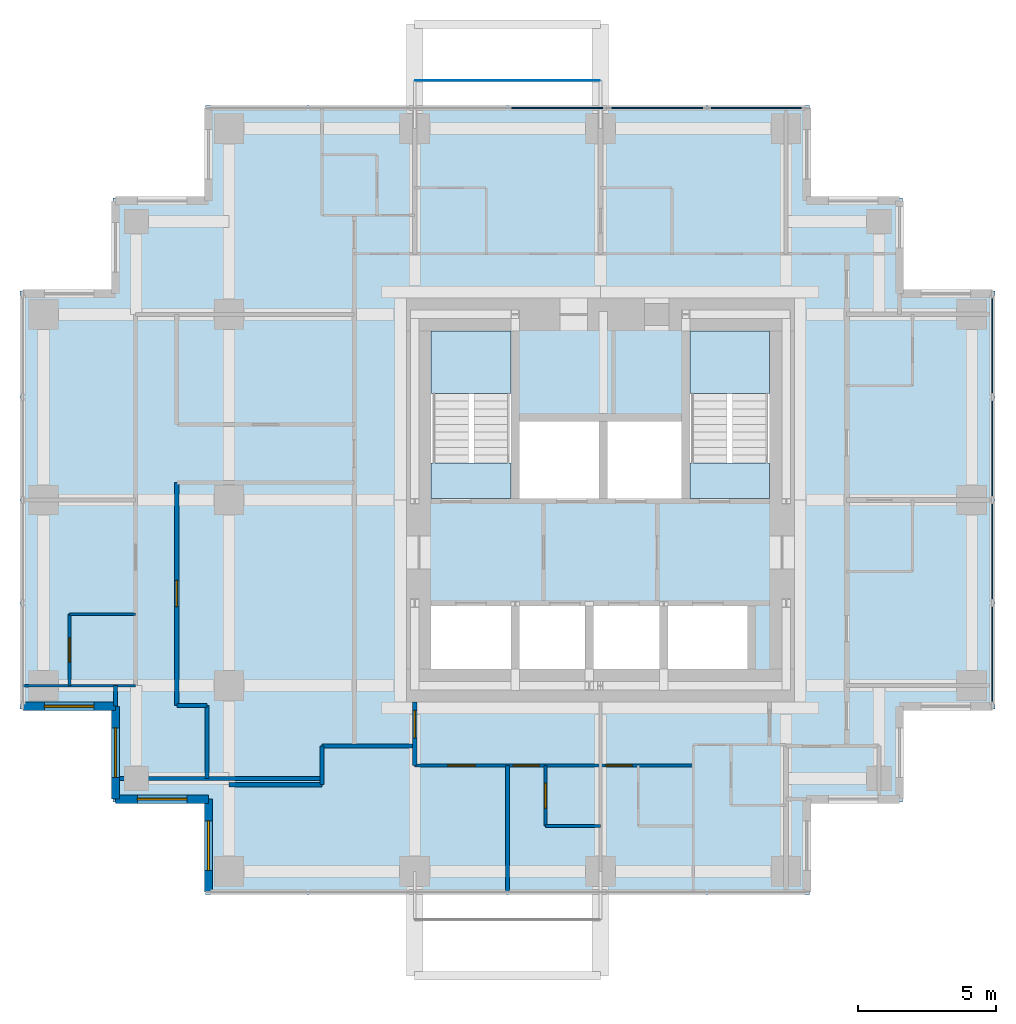
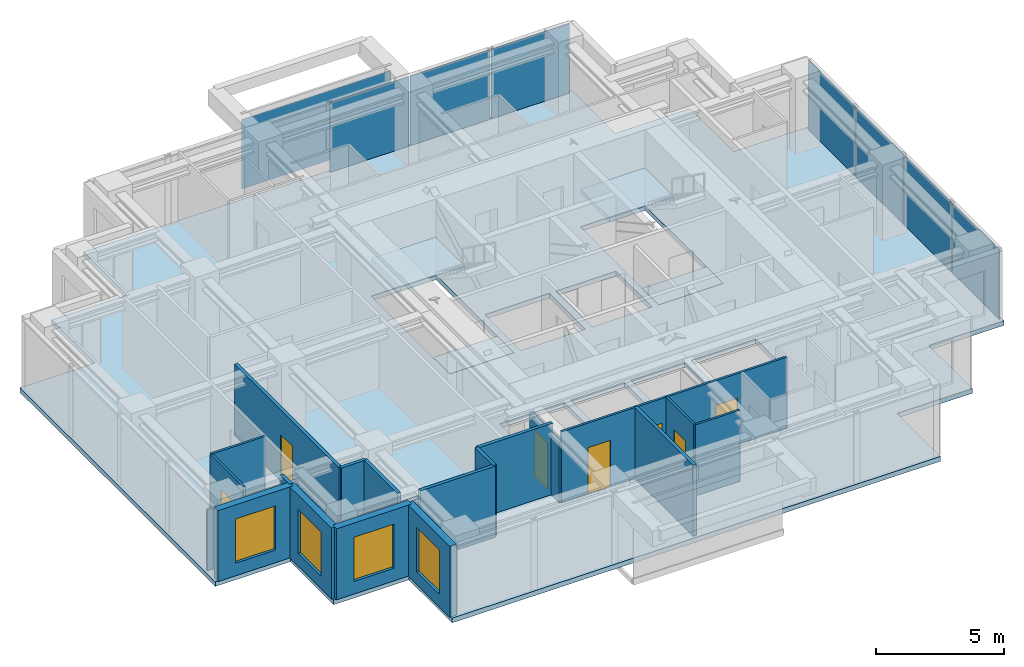
# One storey, part 3 of 7: 20 walls, 8 plates, 7 doors, 5 slabs, 4 windows, 11 openings, 4 elements without a shape of their own.
"""IFC4 building model written with IfcOpenShell, lengths in metres."""

from ifc_helpers import new_model, si_unit, direction, frame, frame_2d, origin, origin_2d, place, context, subcontext, project, spatial, polyline, rectangle, outline, extrude, material, layer, layer_set, type_object, element, fill, aggregate, save


model = new_model("IFC4")

# Units and contexts
model_context = context("Model", 3, precision=1e-05, world=origin(), true_north=direction((0.0, 1.0)))
body_context = subcontext(model_context, "Body", "Model", "MODEL_VIEW")
ifc_project = project(units=[si_unit("LENGTHUNIT", "METRE"), si_unit("AREAUNIT", "SQUARE_METRE"), si_unit("VOLUMEUNIT", "CUBIC_METRE"), si_unit("PLANEANGLEUNIT", "RADIAN"), si_unit("MASSUNIT", "GRAM", prefix="KILO")], contexts=[model_context])

# Site, building, storey
site_placement = place(None, origin())
site = spatial("IfcSite", under=ifc_project, at=site_placement, CompositionType="ELEMENT")
building_placement = place(site_placement, origin())
building = spatial("IfcBuilding", under=site, at=building_placement, Name="Nyansa Garden Tower", CompositionType="ELEMENT")
storey_placement = place(building_placement, frame((0.0, 0.0, 215.10009765625)))
storey = spatial("IfcBuildingStorey", under=building, at=storey_placement, Name="L58", CompositionType="ELEMENT", Elevation=215.10009765625)

# Curtain wall, plates
ifc_material_1 = material(Name="Black anodised aluminium, dark tinted double glazing", Category="aluminium")
curtain_wall_type = type_object("IfcCurtainWallType", Name="Inner skin curtain wall ISW-D", PredefinedType="USERDEFINED", material=ifc_material_1)
curtain_wall_1_placement = place(storey_placement, origin())
curtain_wall_1 = element("IfcCurtainWall", 1, at=curtain_wall_1_placement, inside=storey, type_object=curtain_wall_type, Name="Inner skin curtain wall L58 E", ObjectType="UNITISED CURTAIN WALL", PredefinedType="USERDEFINED")
ifc_material_2 = material(Name="Dark tinted laminated double glazing", Category="glass")
ifc_layer_1 = layer(ifc_material_2, 0.0439453125)
ifc_layer_set_1 = layer_set([ifc_layer_1], Name="Dark tinted vision panel VP-D")
plate_type_1 = type_object("IfcPlateType", Name="Dark tinted vision panel VP-D", PredefinedType="CURTAIN_PANEL", material=ifc_layer_set_1)
plate_1_placement = place(storey_placement, frame((34.5, 14.642578125, 0.0), z_axis=(0.0, 0.0, 1.0), x_axis=(0.0, 1.0, 0.0)))
plate_1 = element("IfcPlate", 2, at=plate_1_placement, type_object=plate_type_1, Name="ISW-D panel 1", PredefinedType="CURTAIN_PANEL", context=body_context, shape_type="SweptSolid", body=[
    extrude(rectangle(XDim=3.64501953125, YDim=0.0439453125, at=origin_2d()), origin(), (0.0, 0.0, 1.0), 3.304931640625),
])
plate_2_placement = place(storey_placement, frame((34.5, 18.375, 0.0), z_axis=(0.0, 0.0, 1.0), x_axis=(0.0, 1.0, 0.0)))
plate_2 = element("IfcPlate", 3, at=plate_2_placement, type_object=plate_type_1, Name="ISW-D panel 2", PredefinedType="CURTAIN_PANEL", context=body_context, shape_type="SweptSolid", body=[
    extrude(rectangle(XDim=3.679931640625, YDim=0.0439453125, at=origin_2d()), origin(), (0.0, 0.0, 1.0), 3.304931640625),
])
plate_3_placement = place(storey_placement, frame((34.5, 22.125, 0.0), z_axis=(0.0, 0.0, 1.0), x_axis=(0.0, 1.0, 0.0)))
plate_3 = element("IfcPlate", 4, at=plate_3_placement, type_object=plate_type_1, Name="ISW-D panel 3", PredefinedType="CURTAIN_PANEL", context=body_context, shape_type="SweptSolid", body=[
    extrude(rectangle(XDim=3.679931640625, YDim=0.0439453125, at=origin_2d()), origin(), (0.0, 0.0, 1.0), 3.304931640625),
])
plate_4_placement = place(storey_placement, frame((34.5, 25.857421875, 0.0), z_axis=(0.0, 0.0, 1.0), x_axis=(0.0, 1.0, 0.0)))
plate_4 = element("IfcPlate", 5, at=plate_4_placement, type_object=plate_type_1, Name="ISW-D panel 4", PredefinedType="CURTAIN_PANEL", context=body_context, shape_type="SweptSolid", body=[
    extrude(rectangle(XDim=3.64501953125, YDim=0.0439453125, at=origin_2d()), origin(), (0.0, 0.0, 1.0), 3.304931640625),
])
aggregate(curtain_wall_1, [plate_1, plate_2, plate_3, plate_4])

curtain_wall_2_placement = place(storey_placement, origin())
curtain_wall_2 = element("IfcCurtainWall", 6, at=curtain_wall_2_placement, inside=storey, type_object=curtain_wall_type, Name="Inner skin curtain wall L58 N", ObjectType="UNITISED CURTAIN WALL", PredefinedType="USERDEFINED")
plate_5_placement = place(storey_placement, frame((25.919921875, 34.5, 0.0), z_axis=(0.0, 0.0, 1.0), x_axis=(-1.0, 0.0, 0.0)))
plate_5 = element("IfcPlate", 7, at=plate_5_placement, type_object=plate_type_1, Name="ISW-D panel 1", PredefinedType="CURTAIN_PANEL", context=body_context, shape_type="SweptSolid", body=[
    extrude(rectangle(XDim=3.52001953125, YDim=0.0439453125, at=origin_2d()), origin(), (0.0, 0.0, 1.0), 3.304931640625),
])
plate_6_placement = place(storey_placement, frame((22.3125, 34.5, 0.0), z_axis=(0.0, 0.0, 1.0), x_axis=(-1.0, 0.0, 0.0)))
plate_6 = element("IfcPlate", 8, at=plate_6_placement, type_object=plate_type_1, Name="ISW-D panel 2", PredefinedType="CURTAIN_PANEL", context=body_context, shape_type="SweptSolid", body=[
    extrude(rectangle(XDim=3.554931640625, YDim=0.0439453125, at=origin_2d()), origin(), (0.0, 0.0, 1.0), 3.304931640625),
])
plate_7_placement = place(storey_placement, frame((18.6875, 34.5, 0.0), z_axis=(0.0, 0.0, 1.0), x_axis=(-1.0, 0.0, 0.0)))
plate_7 = element("IfcPlate", 9, at=plate_7_placement, type_object=plate_type_1, Name="ISW-D panel 3", PredefinedType="CURTAIN_PANEL", context=body_context, shape_type="SweptSolid", body=[
    extrude(rectangle(XDim=3.554931640625, YDim=0.0439453125, at=origin_2d()), origin(), (0.0, 0.0, 1.0), 3.304931640625),
])
aggregate(curtain_wall_2, [plate_5, plate_6, plate_7])

# Slab
ifc_material_3 = material(Name="Concrete C40/50", Category="concrete")
ifc_layer_2 = layer(ifc_material_3, 0.22509765625)
ifc_layer_set_2 = layer_set([ifc_layer_2], Name="Floor slab FS225")
slab_type_1 = type_object("IfcSlabType", Name="Floor slab FS225", PredefinedType="FLOOR", material=ifc_layer_set_2)
slab_1_placement = place(storey_placement, frame((0.0, 0.0, -0.22509765625)))
element("IfcSlab", 10, at=slab_1_placement, inside=storey, type_object=slab_type_1, Name="Floor slab L58", PredefinedType="FLOOR", context=body_context, shape_type="SweptSolid", body=[
    extrude(outline(polyline([(34.60009765625, 12.64990234375), (31.22509765625, 12.64990234375), (31.22509765625, 9.27490234375), (27.85009765625, 9.27490234375), (27.85009765625, 5.89990234375), (5.89990234375, 5.89990234375), (5.89990234375, 9.27490234375), (2.52490234375, 9.27490234375), (2.52490234375, 12.64990234375), (-0.85009765625, 12.64990234375), (-0.85009765625, 27.85009765625), (2.52490234375, 27.85009765625), (2.52490234375, 31.22509765625), (5.89990234375, 31.22509765625), (5.89990234375, 34.60009765625), (27.85009765625, 34.60009765625), (27.85009765625, 31.22509765625), (31.22509765625, 31.22509765625), (31.22509765625, 27.85009765625), (34.60009765625, 27.85009765625), (34.60009765625, 12.64990234375)]), holes=[polyline([(14.10009765625, 14.10009765625), (17.0, 14.10009765625), (17.0, 16.39990234375), (14.10009765625, 16.39990234375), (14.10009765625, 14.10009765625)]), polyline([(17.300048828125, 14.10009765625), (19.699951171875, 14.10009765625), (19.699951171875, 16.39990234375), (17.300048828125, 16.39990234375), (17.300048828125, 14.10009765625)]), polyline([(20.0, 14.10009765625), (22.39990234375, 14.10009765625), (22.39990234375, 16.39990234375), (20.0, 16.39990234375), (20.0, 14.10009765625)]), polyline([(22.699951171875, 14.10009765625), (25.60009765625, 14.10009765625), (25.60009765625, 16.39990234375), (22.699951171875, 16.39990234375), (22.699951171875, 14.10009765625)]), polyline([(17.300048828125, 20.300048828125), (20.199951171875, 20.300048828125), (20.199951171875, 23.10009765625), (17.300048828125, 23.10009765625), (17.300048828125, 20.300048828125)]), polyline([(20.5, 20.300048828125), (23.199951171875, 20.300048828125), (23.199951171875, 23.10009765625), (20.5, 23.10009765625), (20.5, 20.300048828125)]), polyline([(14.10009765625, 20.300048828125), (17.0, 20.300048828125), (17.0, 26.39990234375), (14.10009765625, 26.39990234375), (14.10009765625, 20.300048828125)]), polyline([(23.5, 20.300048828125), (26.39990234375, 20.300048828125), (26.39990234375, 26.39990234375), (23.5, 26.39990234375), (23.5, 20.300048828125)])]), origin(), (0.0, 0.0, 1.0), 0.22509765625),
])

# Plate
ifc_material_4 = material(Name="Dark tinted laminated glass", Category="glass")
ifc_layer_3 = layer(ifc_material_4, 0.02392578125)
ifc_layer_set_3 = layer_set([ifc_layer_3], Name="Outer skin glass panel OS1")
plate_type_2 = type_object("IfcPlateType", Name="Outer skin glass panel OS1", PredefinedType="USERDEFINED", material=ifc_layer_set_3)
plate_8_placement = place(storey_placement, frame((16.875, 35.5, -0.22509765625), z_axis=(0.0, 0.0, 1.0), x_axis=(1.0, 0.0, 0.0)))
element("IfcPlate", 11, at=plate_8_placement, inside=storey, type_object=plate_type_2, Name="Outer skin glass panel L58", ObjectType="OUTER SKIN GLASS", PredefinedType="USERDEFINED", context=body_context, shape_type="SweptSolid", body=[
    extrude(rectangle(XDim=6.7099609375, YDim=0.02392578125, at=origin_2d()), origin(), (0.0, 0.0, 1.0), 3.300048828125),
])

# Stair, slabs
ifc_material_5 = material(Name="Precast concrete C40/50", Category="concrete")
stair_type_1 = type_object("IfcStairType", Name="Stair S1 180x280", PredefinedType="HALF_TURN_STAIR", material=ifc_material_5)
stair_1_placement = place(storey_placement, origin())
stair_1 = element("IfcStair", 12, at=stair_1_placement, inside=storey, type_object=stair_type_1, Name="Stair S1 L58", PredefinedType="HALF_TURN_STAIR")
ifc_material_6 = material(Name="Concrete C40/50", Category="concrete")
ifc_layer_4 = layer(ifc_material_6, 0.199951171875)
ifc_layer_set_4 = layer_set([ifc_layer_4], Name="Stair landing SL200")
slab_type_2 = type_object("IfcSlabType", Name="Stair landing SL200", PredefinedType="LANDING", material=ifc_layer_set_4)
slab_2_placement = place(storey_placement, frame((0.0, 0.0, -0.2001953125)))
slab_2 = element("IfcSlab", 13, at=slab_2_placement, type_object=slab_type_2, Name="S1 landing 1", PredefinedType="LANDING", context=body_context, shape_type="SweptSolid", body=[
    extrude(outline(polyline([(14.10009765625, 20.300048828125), (17.0, 20.300048828125), (17.0, 21.60009765625), (14.10009765625, 21.60009765625), (14.10009765625, 20.300048828125)])), origin(), (0.0, 0.0, 1.0), 0.2001953125),
])
slab_3_placement = place(storey_placement, frame((0.0, 0.0, 1.599853515625)))
slab_3 = element("IfcSlab", 14, at=slab_3_placement, type_object=slab_type_2, Name="S1 landing 2", PredefinedType="LANDING", context=body_context, shape_type="SweptSolid", body=[
    extrude(outline(polyline([(14.10009765625, 24.1201171875), (17.0, 24.1201171875), (17.0, 26.39990234375), (14.10009765625, 26.39990234375), (14.10009765625, 24.1201171875)])), origin(), (0.0, 0.0, 1.0), 0.199951171875),
])
aggregate(stair_1, [slab_2, slab_3])

ifc_material_7 = material(Name="Precast concrete C40/50", Category="concrete")
stair_type_2 = type_object("IfcStairType", Name="Stair S2 180x280", PredefinedType="HALF_TURN_STAIR", material=ifc_material_7)
stair_2_placement = place(storey_placement, origin())
stair_2 = element("IfcStair", 15, at=stair_2_placement, inside=storey, type_object=stair_type_2, Name="Stair S2 L58", PredefinedType="HALF_TURN_STAIR")
slab_4_placement = place(storey_placement, frame((0.0, 0.0, -0.2001953125)))
slab_4 = element("IfcSlab", 16, at=slab_4_placement, type_object=slab_type_2, Name="S2 landing 1", PredefinedType="LANDING", context=body_context, shape_type="SweptSolid", body=[
    extrude(outline(polyline([(23.5, 20.300048828125), (26.39990234375, 20.300048828125), (26.39990234375, 21.60009765625), (23.5, 21.60009765625), (23.5, 20.300048828125)])), origin(), (0.0, 0.0, 1.0), 0.2001953125),
])
slab_5_placement = place(storey_placement, frame((0.0, 0.0, 1.599853515625)))
slab_5 = element("IfcSlab", 17, at=slab_5_placement, type_object=slab_type_2, Name="S2 landing 2", PredefinedType="LANDING", context=body_context, shape_type="SweptSolid", body=[
    extrude(outline(polyline([(23.5, 24.1201171875), (26.39990234375, 24.1201171875), (26.39990234375, 26.39990234375), (23.5, 26.39990234375), (23.5, 24.1201171875)])), origin(), (0.0, 0.0, 1.0), 0.199951171875),
])
aggregate(stair_2, [slab_4, slab_5])

# Walls
ifc_material_8 = material(Name="Blockwork, plastered both sides", Category="masonry")
ifc_layer_5 = layer(ifc_material_8, 0.14990234375)
ifc_layer_set_5 = layer_set([ifc_layer_5], Name="Partition PW150")
wall_type_1 = type_object("IfcWallType", Name="Partition PW150", PredefinedType="PARTITIONING", material=ifc_layer_set_5)
wall_1_placement = place(storey_placement, frame((2.625, 12.76611328125, 0.0), z_axis=(0.0, 0.0, 1.0), x_axis=(0.0, 1.0, 0.0)))
element("IfcWall", 18, at=wall_1_placement, inside=storey, type_object=wall_type_1, Name="Partition", PredefinedType="PARTITIONING", context=body_context, shape_type="SweptSolid", body=[
    extrude(rectangle(XDim=0.73388671875, YDim=0.14990234375, at=frame_2d((0.366943359375, 0.0))), origin(), (0.0, 0.0, 1.0), 3.375),
])
wall_2_placement = place(storey_placement, frame((2.77490234375, 10.125, 0.0), z_axis=(0.0, 0.0, 1.0), x_axis=(1.0, 0.0, 0.0)))
element("IfcWall", 19, at=wall_2_placement, inside=storey, type_object=wall_type_1, Name="Partition", PredefinedType="PARTITIONING", context=body_context, shape_type="SweptSolid", body=[
    extrude(rectangle(XDim=7.35009765625, YDim=0.14990234375, at=frame_2d((3.675048828125, 0.0))), origin(), (0.0, 0.0, 1.0), 2.876953125),
])

# Wall, opening, door
wall_3_placement = place(storey_placement, frame((4.85009765625, 12.77490234375, 0.0), z_axis=(0.0, 0.0, 1.0), x_axis=(0.0, 1.0, 0.0)))
wall_3 = element("IfcWall", 20, at=wall_3_placement, inside=storey, type_object=wall_type_1, Name="Partition", PredefinedType="PARTITIONING", context=body_context, shape_type="SweptSolid", body=[
    extrude(rectangle(XDim=8.112548828125, YDim=0.14990234375, at=frame_2d((4.05615234375, 0.0))), origin(), (0.0, 0.0, 1.0), 3.375),
])
opening_1_placement = place(wall_3_placement, frame((3.60009765625, 0.0, 0.0)))
opening_1 = element("IfcOpeningElement", 21, at=opening_1_placement, cuts=wall_3, Name="Opening D01", PredefinedType="OPENING", context=body_context, shape_type="SweptSolid", body=[
    extrude(rectangle(XDim=0.949951171875, YDim=2.199951171875, at=frame_2d((0.47509765625, 1.10009765625))), frame((0.0, 0.0849609375, 0.0), z_axis=(0.0, -1.0, 0.0), x_axis=(1.0, 0.0, 0.0)), (0.0, 0.0, 1.0), 0.169921875),
])
ifc_material_9 = material(Name="Timber flush door, 30 minute fire resisting", Category="wood")
door_type_1 = type_object("IfcDoorType", Name="Bedroom door D01 950x2200", OperationType="SINGLE_SWING_LEFT", PredefinedType="DOOR", material=ifc_material_9)
door_1_placement = place(opening_1_placement, origin())
door_1 = element("IfcDoor", 22, at=door_1_placement, inside=storey, type_object=door_type_1, Name="Door L58-045", OperationType="SINGLE_SWING_LEFT", OverallHeight=2.199951171875, OverallWidth=0.949951171875, PredefinedType="DOOR", context=body_context, shape_type="SweptSolid", body=[
    extrude(rectangle(XDim=0.949951171875, YDim=2.199951171875, at=frame_2d((0.47509765625, 1.10009765625))), frame((0.0, 0.02490234375, 0.0), z_axis=(0.0, -1.0, 0.0), x_axis=(1.0, 0.0, 0.0)), (0.0, 0.0, 1.0), 0.050048828125),
])
fill(opening_1, door_1)

# Walls
wall_4_placement = place(storey_placement, frame((4.85009765625, 12.77490234375, 0.0), z_axis=(0.0, 0.0, 1.0), x_axis=(1.0, 0.0, 0.0)))
element("IfcWall", 23, at=wall_4_placement, inside=storey, type_object=wall_type_1, Name="Partition", PredefinedType="PARTITIONING", context=body_context, shape_type="SweptSolid", body=[
    extrude(rectangle(XDim=1.099853515625, YDim=0.14990234375, at=frame_2d((0.5498046875, 0.0))), origin(), (0.0, 0.0, 1.0), 3.375),
])
wall_5_placement = place(storey_placement, frame((5.949951171875, 10.125, 0.0), z_axis=(0.0, 0.0, 1.0), x_axis=(0.0, 1.0, 0.0)))
element("IfcWall", 24, at=wall_5_placement, inside=storey, type_object=wall_type_1, Name="Partition", PredefinedType="PARTITIONING", context=body_context, shape_type="SweptSolid", body=[
    extrude(rectangle(XDim=2.64990234375, YDim=0.14990234375, at=frame_2d((1.324951171875, 0.0))), origin(), (0.0, 0.0, 1.0), 3.375),
])
wall_6_placement = place(storey_placement, frame((6.75, 9.89990234375, 0.0), z_axis=(0.0, 0.0, 1.0), x_axis=(1.0, 0.0, 0.0)))
element("IfcWall", 25, at=wall_6_placement, inside=storey, type_object=wall_type_1, Name="Partition", PredefinedType="PARTITIONING", context=body_context, shape_type="SweptSolid", body=[
    extrude(rectangle(XDim=3.375, YDim=0.14990234375, at=frame_2d((1.6875, 0.0))), origin(), (0.0, 0.0, 1.0), 3.375),
])
wall_7_placement = place(storey_placement, frame((10.125, 9.89990234375, 0.0), z_axis=(0.0, 0.0, 1.0), x_axis=(0.0, 1.0, 0.0)))
element("IfcWall", 26, at=wall_7_placement, inside=storey, type_object=wall_type_1, Name="Partition", PredefinedType="PARTITIONING", context=body_context, shape_type="SweptSolid", body=[
    extrude(rectangle(XDim=1.400146484375, YDim=0.14990234375, at=frame_2d((0.7001953125, 0.0))), origin(), (0.0, 0.0, 1.0), 3.375),
])
wall_8_placement = place(storey_placement, frame((10.125, 11.300048828125, 0.0), z_axis=(0.0, 0.0, 1.0), x_axis=(1.0, 0.0, 0.0)))
element("IfcWall", 27, at=wall_8_placement, inside=storey, type_object=wall_type_1, Name="Partition", PredefinedType="PARTITIONING", context=body_context, shape_type="SweptSolid", body=[
    extrude(rectangle(XDim=3.375, YDim=0.14990234375, at=frame_2d((1.6875, 0.0))), origin(), (0.0, 0.0, 1.0), 3.375),
])

# Wall, opening, door
wall_9_placement = place(storey_placement, frame((13.5, 10.60009765625, 0.0), z_axis=(0.0, 0.0, 1.0), x_axis=(0.0, 1.0, 0.0)))
wall_9 = element("IfcWall", 28, at=wall_9_placement, inside=storey, type_object=wall_type_1, Name="Partition", PredefinedType="PARTITIONING", context=body_context, shape_type="SweptSolid", body=[
    extrude(rectangle(XDim=2.2998046875, YDim=0.14990234375, at=frame_2d((1.14990234375, 0.0))), origin(), (0.0, 0.0, 1.0), 2.876953125),
])
opening_2_placement = place(wall_9_placement, frame((1.0, 0.0, 0.0)))
opening_2 = element("IfcOpeningElement", 29, at=opening_2_placement, cuts=wall_9, Name="Opening D03", PredefinedType="OPENING", context=body_context, shape_type="SweptSolid", body=[
    extrude(rectangle(XDim=1.0, YDim=2.199951171875, at=frame_2d((0.5, 1.10009765625))), frame((0.0, 0.0849609375, 0.0), z_axis=(0.0, -1.0, 0.0), x_axis=(1.0, 0.0, 0.0)), (0.0, 0.0, 1.0), 0.169921875),
])
ifc_material_10 = material(Name="Timber flush door, 60 minute fire resisting", Category="wood")
door_type_2 = type_object("IfcDoorType", Name="Cluster entrance door D03 1000x2200", OperationType="SINGLE_SWING_LEFT", PredefinedType="DOOR", material=ifc_material_10)
door_2_placement = place(opening_2_placement, origin())
door_2 = element("IfcDoor", 30, at=door_2_placement, inside=storey, type_object=door_type_2, Name="Door L58-019", OperationType="SINGLE_SWING_LEFT", OverallHeight=2.199951171875, OverallWidth=1.0, PredefinedType="DOOR", context=body_context, shape_type="SweptSolid", body=[
    extrude(rectangle(XDim=1.0, YDim=2.199951171875, at=frame_2d((0.5, 1.10009765625))), frame((0.0, 0.02490234375, 0.0), z_axis=(0.0, -1.0, 0.0), x_axis=(1.0, 0.0, 0.0)), (0.0, 0.0, 1.0), 0.050048828125),
])
fill(opening_2, door_2)

# Wall
wall_10_placement = place(storey_placement, frame((16.875, 6.01611328125, 0.0), z_axis=(0.0, 0.0, 1.0), x_axis=(0.0, 1.0, 0.0)))
element("IfcWall", 31, at=wall_10_placement, inside=storey, type_object=wall_type_1, Name="Partition", PredefinedType="PARTITIONING", context=body_context, shape_type="SweptSolid", body=[
    extrude(rectangle(XDim=4.583984375, YDim=0.14990234375, at=frame_2d((2.2919921875, 0.0))), origin(), (0.0, 0.0, 1.0), 3.375),
])

# Wall, opening, window
ifc_material_11 = material(Name="Turquoise glazed tile on concrete blockwork", Category="masonry")
ifc_layer_6 = layer(ifc_material_11, 0.300048828125)
ifc_layer_set_6 = layer_set([ifc_layer_6], Name="Tiled corner wall TW300")
wall_type_2 = type_object("IfcWallType", Name="Tiled corner wall TW300", PredefinedType="SOLIDWALL", material=ifc_layer_set_6)
wall_11_placement = place(storey_placement, frame((-0.75, 12.75, 0.0), z_axis=(0.0, 0.0, 1.0), x_axis=(1.0, 0.0, 0.0)))
wall_11 = element("IfcWall", 32, at=wall_11_placement, inside=storey, type_object=wall_type_2, Name="Tiled corner wall L58", PredefinedType="SOLIDWALL", context=body_context, shape_type="SweptSolid", body=[
    extrude(rectangle(XDim=3.375, YDim=0.300048828125, at=frame_2d((1.6875, 0.0))), origin(), (0.0, 0.0, 1.0), 3.375),
])
opening_3_placement = place(wall_11_placement, frame((0.78759765625, 0.0, 0.60009765625)))
opening_3 = element("IfcOpeningElement", 33, at=opening_3_placement, cuts=wall_11, Name="Opening W2", PredefinedType="OPENING", context=body_context, shape_type="SweptSolid", body=[
    extrude(rectangle(XDim=1.800048828125, YDim=2.10009765625, at=frame_2d((0.89990234375, 1.050048828125))), frame((0.0, 0.159912109375, 0.0), z_axis=(0.0, -1.0, 0.0), x_axis=(1.0, 0.0, 0.0)), (0.0, 0.0, 1.0), 0.320068359375),
])
ifc_material_12 = material(Name="Black aluminium frame, dark tinted double glazing", Category="aluminium")
window_type = type_object("IfcWindowType", Name="Window W2 1800x2100", PartitioningType="SINGLE_PANEL", PredefinedType="WINDOW", material=ifc_material_12)
window_1_placement = place(opening_3_placement, origin())
window_1 = element("IfcWindow", 34, at=window_1_placement, inside=storey, type_object=window_type, Name="Corner window L58", OverallHeight=2.10009765625, OverallWidth=1.800048828125, PartitioningType="SINGLE_PANEL", PredefinedType="WINDOW", context=body_context, shape_type="SweptSolid", body=[
    extrude(rectangle(XDim=1.800048828125, YDim=2.10009765625, at=frame_2d((0.89990234375, 1.050048828125))), frame((0.0, 0.030029296875, 0.0), z_axis=(0.0, -1.0, 0.0), x_axis=(1.0, 0.0, 0.0)), (0.0, 0.0, 1.0), 0.06005859375),
])
fill(opening_3, window_1)

wall_12_placement = place(storey_placement, frame((2.625, 12.75, 0.0), z_axis=(0.0, 0.0, 1.0), x_axis=(0.0, -1.0, 0.0)))
wall_12 = element("IfcWall", 35, at=wall_12_placement, inside=storey, type_object=wall_type_2, Name="Tiled corner wall L58", PredefinedType="SOLIDWALL", context=body_context, shape_type="SweptSolid", body=[
    extrude(rectangle(XDim=3.375, YDim=0.300048828125, at=frame_2d((1.6875, 0.0))), origin(), (0.0, 0.0, 1.0), 3.375),
])
opening_4_placement = place(wall_12_placement, frame((0.78759765625, 0.0, 0.60009765625)))
opening_4 = element("IfcOpeningElement", 36, at=opening_4_placement, cuts=wall_12, Name="Opening W2", PredefinedType="OPENING", context=body_context, shape_type="SweptSolid", body=[
    extrude(rectangle(XDim=1.800048828125, YDim=2.10009765625, at=frame_2d((0.89990234375, 1.050048828125))), frame((0.0, 0.159912109375, 0.0), z_axis=(0.0, -1.0, 0.0), x_axis=(1.0, 0.0, 0.0)), (0.0, 0.0, 1.0), 0.320068359375),
])
window_2_placement = place(opening_4_placement, origin())
window_2 = element("IfcWindow", 37, at=window_2_placement, inside=storey, type_object=window_type, Name="Corner window L58", OverallHeight=2.10009765625, OverallWidth=1.800048828125, PartitioningType="SINGLE_PANEL", PredefinedType="WINDOW", context=body_context, shape_type="SweptSolid", body=[
    extrude(rectangle(XDim=1.800048828125, YDim=2.10009765625, at=frame_2d((0.89990234375, 1.050048828125))), frame((0.0, 0.030029296875, 0.0), z_axis=(0.0, -1.0, 0.0), x_axis=(1.0, 0.0, 0.0)), (0.0, 0.0, 1.0), 0.06005859375),
])
fill(opening_4, window_2)

wall_13_placement = place(storey_placement, frame((2.625, 9.375, 0.0), z_axis=(0.0, 0.0, 1.0), x_axis=(1.0, 0.0, 0.0)))
wall_13 = element("IfcWall", 38, at=wall_13_placement, inside=storey, type_object=wall_type_2, Name="Tiled corner wall L58", PredefinedType="SOLIDWALL", context=body_context, shape_type="SweptSolid", body=[
    extrude(rectangle(XDim=3.375, YDim=0.300048828125, at=frame_2d((1.6875, 0.0))), origin(), (0.0, 0.0, 1.0), 3.375),
])
opening_5_placement = place(wall_13_placement, frame((0.78759765625, 0.0, 0.60009765625)))
opening_5 = element("IfcOpeningElement", 39, at=opening_5_placement, cuts=wall_13, Name="Opening W2", PredefinedType="OPENING", context=body_context, shape_type="SweptSolid", body=[
    extrude(rectangle(XDim=1.800048828125, YDim=2.10009765625, at=frame_2d((0.89990234375, 1.050048828125))), frame((0.0, 0.159912109375, 0.0), z_axis=(0.0, -1.0, 0.0), x_axis=(1.0, 0.0, 0.0)), (0.0, 0.0, 1.0), 0.320068359375),
])
window_3_placement = place(opening_5_placement, origin())
window_3 = element("IfcWindow", 40, at=window_3_placement, inside=storey, type_object=window_type, Name="Corner window L58", OverallHeight=2.10009765625, OverallWidth=1.800048828125, PartitioningType="SINGLE_PANEL", PredefinedType="WINDOW", context=body_context, shape_type="SweptSolid", body=[
    extrude(rectangle(XDim=1.800048828125, YDim=2.10009765625, at=frame_2d((0.89990234375, 1.050048828125))), frame((0.0, 0.030029296875, 0.0), z_axis=(0.0, -1.0, 0.0), x_axis=(1.0, 0.0, 0.0)), (0.0, 0.0, 1.0), 0.06005859375),
])
fill(opening_5, window_3)

wall_14_placement = place(storey_placement, frame((6.0, 9.375, 0.0), z_axis=(0.0, 0.0, 1.0), x_axis=(0.0, -1.0, 0.0)))
wall_14 = element("IfcWall", 41, at=wall_14_placement, inside=storey, type_object=wall_type_2, Name="Tiled corner wall L58", PredefinedType="SOLIDWALL", context=body_context, shape_type="SweptSolid", body=[
    extrude(rectangle(XDim=3.375, YDim=0.300048828125, at=frame_2d((1.6875, 0.0))), origin(), (0.0, 0.0, 1.0), 3.375),
])
opening_6_placement = place(wall_14_placement, frame((0.78759765625, 0.0, 0.60009765625)))
opening_6 = element("IfcOpeningElement", 42, at=opening_6_placement, cuts=wall_14, Name="Opening W2", PredefinedType="OPENING", context=body_context, shape_type="SweptSolid", body=[
    extrude(rectangle(XDim=1.800048828125, YDim=2.10009765625, at=frame_2d((0.89990234375, 1.050048828125))), frame((0.0, 0.159912109375, 0.0), z_axis=(0.0, -1.0, 0.0), x_axis=(1.0, 0.0, 0.0)), (0.0, 0.0, 1.0), 0.320068359375),
])
window_4_placement = place(opening_6_placement, origin())
window_4 = element("IfcWindow", 43, at=window_4_placement, inside=storey, type_object=window_type, Name="Corner window L58", OverallHeight=2.10009765625, OverallWidth=1.800048828125, PartitioningType="SINGLE_PANEL", PredefinedType="WINDOW", context=body_context, shape_type="SweptSolid", body=[
    extrude(rectangle(XDim=1.800048828125, YDim=2.10009765625, at=frame_2d((0.89990234375, 1.050048828125))), frame((0.0, 0.030029296875, 0.0), z_axis=(0.0, -1.0, 0.0), x_axis=(1.0, 0.0, 0.0)), (0.0, 0.0, 1.0), 0.06005859375),
])
fill(opening_6, window_4)

# Wall
ifc_material_13 = material(Name="Moisture resistant board on steel studs, tiled", Category="steel")
ifc_layer_7 = layer(ifc_material_13, 0.10009765625)
ifc_layer_set_7 = layer_set([ifc_layer_7], Name="Wet wall PW100")
wall_type_3 = type_object("IfcWallType", Name="Wet wall PW100", PredefinedType="PARTITIONING", material=ifc_layer_set_7)
wall_15_placement = place(storey_placement, frame((-0.73388671875, 13.5, 0.0), z_axis=(0.0, 0.0, 1.0), x_axis=(1.0, 0.0, 0.0)))
element("IfcWall", 44, at=wall_15_placement, inside=storey, type_object=wall_type_3, Name="Wet wall", PredefinedType="PARTITIONING", context=body_context, shape_type="SweptSolid", body=[
    extrude(rectangle(XDim=4.083984375, YDim=0.10009765625, at=frame_2d((2.0419921875, 0.0))), origin(), (0.0, 0.0, 1.0), 2.876953125),
])

# Wall, opening, door
wall_16_placement = place(storey_placement, frame((0.949951171875, 13.5, 0.0), z_axis=(0.0, 0.0, 1.0), x_axis=(0.0, 1.0, 0.0)))
wall_16 = element("IfcWall", 45, at=wall_16_placement, inside=storey, type_object=wall_type_3, Name="Wet wall", PredefinedType="PARTITIONING", context=body_context, shape_type="SweptSolid", body=[
    extrude(rectangle(XDim=2.60009765625, YDim=0.10009765625, at=frame_2d((1.300048828125, 0.0))), origin(), (0.0, 0.0, 1.0), 3.375),
])
opening_7_placement = place(wall_16_placement, frame((0.85009765625, 0.0, 0.0)))
opening_7 = element("IfcOpeningElement", 46, at=opening_7_placement, cuts=wall_16, Name="Opening D02", PredefinedType="OPENING", context=body_context, shape_type="SweptSolid", body=[
    extrude(rectangle(XDim=0.89990234375, YDim=2.199951171875, at=frame_2d((0.449951171875, 1.10009765625))), frame((0.0, 0.06005859375, 0.0), z_axis=(0.0, -1.0, 0.0), x_axis=(1.0, 0.0, 0.0)), (0.0, 0.0, 1.0), 0.1201171875),
])
ifc_material_14 = material(Name="Timber flush door", Category="wood")
door_type_3 = type_object("IfcDoorType", Name="En-suite door D02 900x2200", OperationType="SINGLE_SWING_RIGHT", PredefinedType="DOOR", material=ifc_material_14)
door_3_placement = place(opening_7_placement, origin())
door_3 = element("IfcDoor", 47, at=door_3_placement, inside=storey, type_object=door_type_3, Name="Door L58-042", OperationType="SINGLE_SWING_RIGHT", OverallHeight=2.199951171875, OverallWidth=0.89990234375, PredefinedType="DOOR", context=body_context, shape_type="SweptSolid", body=[
    extrude(rectangle(XDim=0.89990234375, YDim=2.199951171875, at=frame_2d((0.449951171875, 1.10009765625))), frame((0.0, 0.02490234375, 0.0), z_axis=(0.0, -1.0, 0.0), x_axis=(1.0, 0.0, 0.0)), (0.0, 0.0, 1.0), 0.050048828125),
])
fill(opening_7, door_3)

# Wall
wall_17_placement = place(storey_placement, frame((0.949951171875, 16.10009765625, 0.0), z_axis=(0.0, 0.0, 1.0), x_axis=(1.0, 0.0, 0.0)))
element("IfcWall", 48, at=wall_17_placement, inside=storey, type_object=wall_type_3, Name="Wet wall", PredefinedType="PARTITIONING", context=body_context, shape_type="SweptSolid", body=[
    extrude(rectangle(XDim=2.400146484375, YDim=0.10009765625, at=frame_2d((1.2001953125, 0.0))), origin(), (0.0, 0.0, 1.0), 3.375),
])

# Wall, openings, doors
wall_18_placement = place(storey_placement, frame((13.5, 10.60009765625, 0.0), z_axis=(0.0, 0.0, 1.0), x_axis=(1.0, 0.0, 0.0)))
wall_18 = element("IfcWall", 49, at=wall_18_placement, inside=storey, type_object=wall_type_3, Name="Wet wall", PredefinedType="PARTITIONING", context=body_context, shape_type="SweptSolid", body=[
    extrude(rectangle(XDim=10.125, YDim=0.10009765625, at=frame_2d((5.0625, 0.0))), origin(), (0.0, 0.0, 1.0), 3.375),
])
opening_8_placement = place(wall_18_placement, frame((1.199951171875, 0.0, 0.0)))
opening_8 = element("IfcOpeningElement", 50, at=opening_8_placement, cuts=wall_18, Name="Opening D03", PredefinedType="OPENING", context=body_context, shape_type="SweptSolid", body=[
    extrude(rectangle(XDim=1.0, YDim=2.199951171875, at=frame_2d((0.5, 1.10009765625))), frame((0.0, 0.06005859375, 0.0), z_axis=(0.0, -1.0, 0.0), x_axis=(1.0, 0.0, 0.0)), (0.0, 0.0, 1.0), 0.1201171875),
])
opening_9_placement = place(wall_18_placement, frame((3.574951171875, 0.0, 0.0)))
opening_9 = element("IfcOpeningElement", 51, at=opening_9_placement, cuts=wall_18, Name="Opening D01", PredefinedType="OPENING", context=body_context, shape_type="SweptSolid", body=[
    extrude(rectangle(XDim=0.949951171875, YDim=2.199951171875, at=frame_2d((0.47509765625, 1.10009765625))), frame((0.0, 0.06005859375, 0.0), z_axis=(0.0, -1.0, 0.0), x_axis=(1.0, 0.0, 0.0)), (0.0, 0.0, 1.0), 0.1201171875),
])
opening_10_placement = place(wall_18_placement, frame((6.949951171875, 0.0, 0.0)))
opening_10 = element("IfcOpeningElement", 52, at=opening_10_placement, cuts=wall_18, Name="Opening D14", PredefinedType="OPENING", context=body_context, shape_type="SweptSolid", body=[
    extrude(rectangle(XDim=0.949951171875, YDim=2.199951171875, at=frame_2d((0.47509765625, 1.10009765625))), frame((0.0, 0.06005859375, 0.0), z_axis=(0.0, -1.0, 0.0), x_axis=(1.0, 0.0, 0.0)), (0.0, 0.0, 1.0), 0.1201171875),
])
door_4_placement = place(opening_9_placement, origin())
door_4 = element("IfcDoor", 53, at=door_4_placement, inside=storey, type_object=door_type_1, Name="Door L58-017", OperationType="SINGLE_SWING_LEFT", OverallHeight=2.199951171875, OverallWidth=0.949951171875, PredefinedType="DOOR", context=body_context, shape_type="SweptSolid", body=[
    extrude(rectangle(XDim=0.949951171875, YDim=2.199951171875, at=frame_2d((0.47509765625, 1.10009765625))), frame((0.0, 0.02490234375, 0.0), z_axis=(0.0, -1.0, 0.0), x_axis=(1.0, 0.0, 0.0)), (0.0, 0.0, 1.0), 0.050048828125),
])
fill(opening_9, door_4)
door_5_placement = place(opening_8_placement, origin())
door_5 = element("IfcDoor", 54, at=door_5_placement, inside=storey, type_object=door_type_2, Name="Door L58-016", OperationType="SINGLE_SWING_LEFT", OverallHeight=2.199951171875, OverallWidth=1.0, PredefinedType="DOOR", context=body_context, shape_type="SweptSolid", body=[
    extrude(rectangle(XDim=1.0, YDim=2.199951171875, at=frame_2d((0.5, 1.10009765625))), frame((0.0, 0.02490234375, 0.0), z_axis=(0.0, -1.0, 0.0), x_axis=(1.0, 0.0, 0.0)), (0.0, 0.0, 1.0), 0.050048828125),
])
fill(opening_8, door_5)
ifc_material_15 = material(Name="Timber flush door, 60 minute fire resisting, self-closing", Category="wood")
door_type_4 = type_object("IfcDoorType", Name="Studio entrance door D14 950x2200", OperationType="SINGLE_SWING_LEFT", PredefinedType="DOOR", material=ifc_material_15)
door_6_placement = place(opening_10_placement, origin())
door_6 = element("IfcDoor", 55, at=door_6_placement, inside=storey, type_object=door_type_4, Name="Door L58-020", OperationType="SINGLE_SWING_LEFT", OverallHeight=2.199951171875, OverallWidth=0.949951171875, PredefinedType="DOOR", context=body_context, shape_type="SweptSolid", body=[
    extrude(rectangle(XDim=0.949951171875, YDim=2.199951171875, at=frame_2d((0.47509765625, 1.10009765625))), frame((0.0, 0.02490234375, 0.0), z_axis=(0.0, -1.0, 0.0), x_axis=(1.0, 0.0, 0.0)), (0.0, 0.0, 1.0), 0.050048828125),
])
fill(opening_10, door_6)

# Wall, opening, door
wall_19_placement = place(storey_placement, frame((18.25, 8.39990234375, 0.0), z_axis=(0.0, 0.0, 1.0), x_axis=(0.0, 1.0, 0.0)))
wall_19 = element("IfcWall", 56, at=wall_19_placement, inside=storey, type_object=wall_type_3, Name="Wet wall", PredefinedType="PARTITIONING", context=body_context, shape_type="SweptSolid", body=[
    extrude(rectangle(XDim=2.2001953125, YDim=0.10009765625, at=frame_2d((1.10009765625, 0.0))), origin(), (0.0, 0.0, 1.0), 3.375),
])
opening_11_placement = place(wall_19_placement, frame((0.64990234375, 0.0, 0.0)))
opening_11 = element("IfcOpeningElement", 57, at=opening_11_placement, cuts=wall_19, Name="Opening D02", PredefinedType="OPENING", context=body_context, shape_type="SweptSolid", body=[
    extrude(rectangle(XDim=0.89990234375, YDim=2.199951171875, at=frame_2d((0.449951171875, 1.10009765625))), frame((0.0, 0.06005859375, 0.0), z_axis=(0.0, -1.0, 0.0), x_axis=(1.0, 0.0, 0.0)), (0.0, 0.0, 1.0), 0.1201171875),
])
door_7_placement = place(opening_11_placement, origin())
door_7 = element("IfcDoor", 58, at=door_7_placement, inside=storey, type_object=door_type_3, Name="Door L58-018", OperationType="SINGLE_SWING_RIGHT", OverallHeight=2.199951171875, OverallWidth=0.89990234375, PredefinedType="DOOR", context=body_context, shape_type="SweptSolid", body=[
    extrude(rectangle(XDim=0.89990234375, YDim=2.199951171875, at=frame_2d((0.449951171875, 1.10009765625))), frame((0.0, 0.02490234375, 0.0), z_axis=(0.0, -1.0, 0.0), x_axis=(1.0, 0.0, 0.0)), (0.0, 0.0, 1.0), 0.050048828125),
])
fill(opening_11, door_7)

# Wall
wall_20_placement = place(storey_placement, frame((18.25, 8.39990234375, 0.0), z_axis=(0.0, 0.0, 1.0), x_axis=(1.0, 0.0, 0.0)))
element("IfcWall", 59, at=wall_20_placement, inside=storey, type_object=wall_type_3, Name="Wet wall", PredefinedType="PARTITIONING", context=body_context, shape_type="SweptSolid", body=[
    extrude(rectangle(XDim=2.0, YDim=0.10009765625, at=frame_2d((1.0, 0.0))), origin(), (0.0, 0.0, 1.0), 3.375),
])

save(model, "model.ifc")
